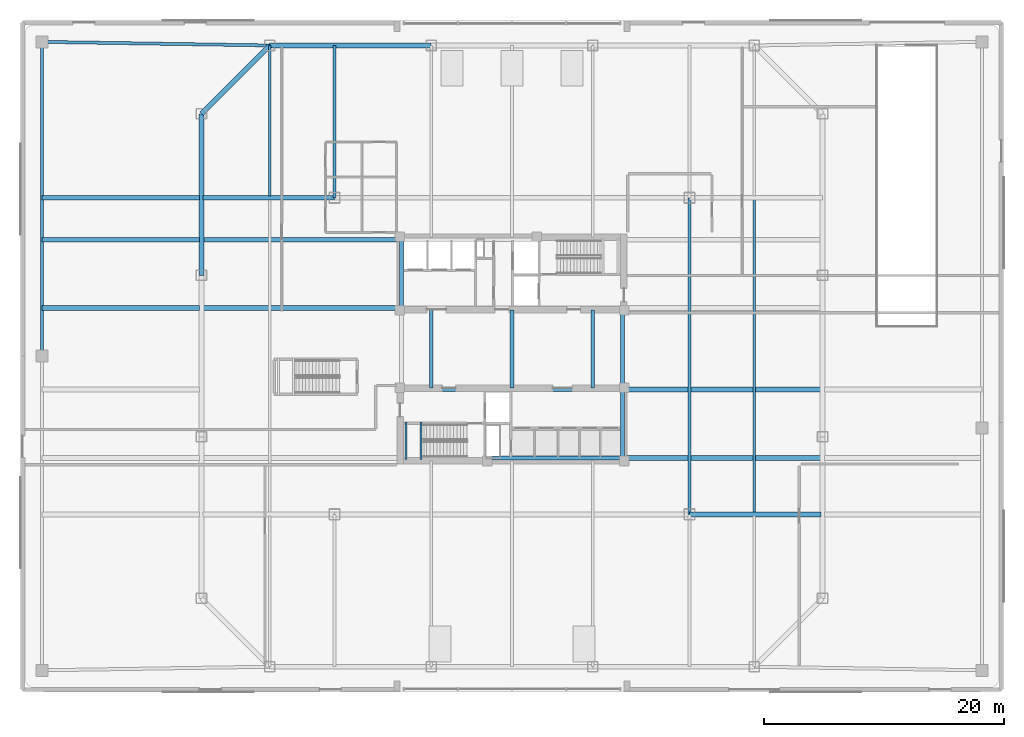
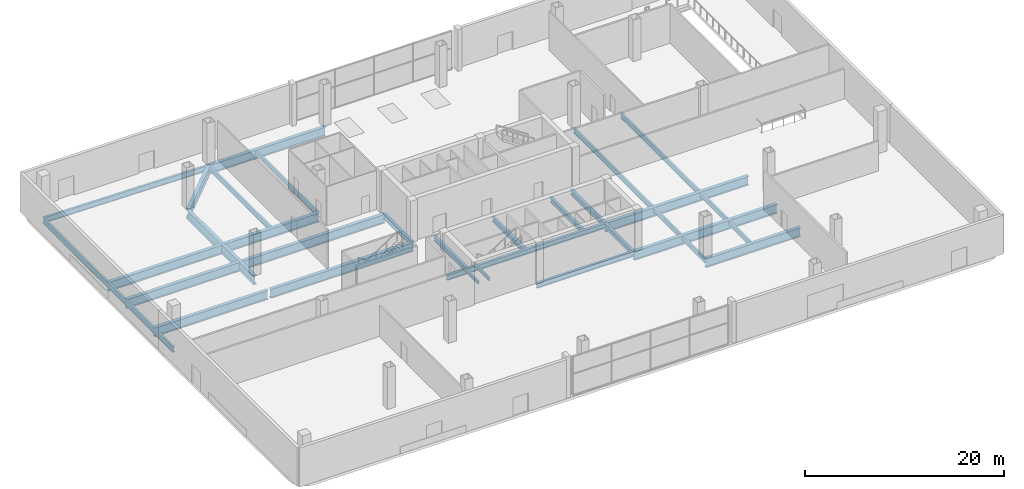
# One storey, part 7 of 21: 28 beams.
"""IFC4 building model written with IfcOpenShell, lengths in metres."""

import ifcopenshell
import ifcopenshell.guid

model = None  # the IFC model being written
_history = None  # IfcOwnerHistory: only IFC2X3 demands one
_inside = {}  # id of a spatial element -> (the spatial element, [elements in it])
_under = {}  # id of a project, library or spatial element -> (it, [spatial elements below it])
_declared = {}  # id of a project -> (the project, [libraries it declares])
_typed = {}  # id of a type object -> (the type object, [elements of that type])
_made_of = {}  # id of a material, layer set ... -> (it, [elements and type objects made of it])


def new_model(schema):
    """Start an empty IFC model of exactly this schema.

    Asked for "IFC4X3", IfcOpenShell would pick the latest addendum, in which some entities
    have other attributes; the version numbers below select the first issue.
    IFC2X3 requires an IfcOwnerHistory on every rooted entity: one is made here for all.
    """
    global model, _history
    if schema == "IFC4X3":
        model = ifcopenshell.file(schema_version=(4, 3, 0, 0))
    else:
        model = ifcopenshell.file(schema=schema)
    _inside.clear()
    _under.clear()
    _declared.clear()
    _typed.clear()
    _made_of.clear()
    _history = None
    if model.schema == "IFC2X3":
        org = make("IfcOrganization", Name="unknown")
        user = make(
            "IfcPersonAndOrganization",
            ThePerson=make("IfcPerson", FamilyName="unknown"),
            TheOrganization=org,
        )
        app = make(
            "IfcApplication",
            ApplicationDeveloper=org,
            Version="unknown",
            ApplicationFullName="unknown",
            ApplicationIdentifier="unknown",
        )
        _history = make(
            "IfcOwnerHistory",
            OwningUser=user,
            OwningApplication=app,
            ChangeAction="ADDED",
            CreationDate=0,
        )
    return model


def make(cls, **values):
    """One entity of the class cls with the attributes given. An attribute that is None is left unset."""
    return model.create_entity(
        cls, **{name: value for name, value in values.items() if value is not None}
    )


def rooted(cls, **values):
    """An entity with a GlobalId (a new one), such as an element, a storey or a relation."""
    return make(cls, GlobalId=ifcopenshell.guid.new(), OwnerHistory=_history, **values)


def si_unit(unit_type, name, prefix=None):
    """IfcSIUnit, for example si_unit("LENGTHUNIT", "METRE", prefix="MILLI")."""
    return make("IfcSIUnit", UnitType=unit_type, Prefix=prefix, Name=name)


def assignment(units):
    """IfcUnitAssignment: the units of a project."""
    return None if units is None else make("IfcUnitAssignment", Units=units)


def point(xyz):
    """IfcCartesianPoint."""
    return None if xyz is None else make("IfcCartesianPoint", Coordinates=xyz)


def direction(xyz):
    """IfcDirection."""
    return None if xyz is None else make("IfcDirection", DirectionRatios=xyz)


def frame(location, z_axis=None, x_axis=None):
    """IfcAxis2Placement3D, a coordinate frame: its origin and axes. An axis left out is left unset."""
    return make(
        "IfcAxis2Placement3D",
        Location=point(location),
        Axis=direction(z_axis),
        RefDirection=direction(x_axis),
    )


def frame_2d(location, x_axis=None):
    """IfcAxis2Placement2D, a coordinate frame in the plane: its origin and x axis."""
    return make(
        "IfcAxis2Placement2D", Location=point(location), RefDirection=direction(x_axis)
    )


def origin():
    """The frame at (0, 0, 0) with its axes left unset."""
    return frame((0.0, 0.0, 0.0))


def origin_2d():
    """The frame at (0, 0) in the plane with its x axis left unset."""
    return frame_2d((0.0, 0.0))


def place(relative_to, where):
    """IfcLocalPlacement: puts the frame where relative to a parent placement (None: the world)."""
    return make(
        "IfcLocalPlacement", PlacementRelTo=relative_to, RelativePlacement=where
    )


def context(
    kind, dimensions, precision=None, world=None, true_north=None, identifier=None
):
    """IfcGeometricRepresentationContext, for example the 3D "Model" context."""
    return make(
        "IfcGeometricRepresentationContext",
        ContextIdentifier=identifier,
        ContextType=kind,
        CoordinateSpaceDimension=dimensions,
        Precision=precision,
        WorldCoordinateSystem=world,
        TrueNorth=true_north,
    )


def subcontext(parent, identifier, kind, view, scale=None):
    """IfcGeometricRepresentationSubContext, for example "Body" below "Model"."""
    return make(
        "IfcGeometricRepresentationSubContext",
        ContextIdentifier=identifier,
        ContextType=kind,
        ParentContext=parent,
        TargetScale=scale,
        TargetView=view,
    )


def project(units=None, contexts=None):
    """IfcProject with its units and contexts."""
    return rooted(
        "IfcProject",
        Name="project",
        RepresentationContexts=contexts,
        UnitsInContext=assignment(units),
    )


def spatial(cls, under=None, at=None, **own):
    """A site, building, storey or space (cls), placed at a placement, below another one or the project."""
    s = rooted(cls, ObjectPlacement=at, **own)
    if under is not None:
        _under.setdefault(under.id(), (under, []))[1].append(s)
    return s


def profile(cls, at=None, kind="AREA", **sizes):
    """A parametric profile (cls). Its sizes go by their IFC names, for example OverallWidth=200.0."""
    return make(cls, ProfileType=kind, Position=at, **sizes)


def i_section(**sizes):
    """IfcIShapeProfileDef."""
    return profile("IfcIShapeProfileDef", **sizes)


def extrude(swept, where, along, depth):
    """IfcExtrudedAreaSolid: the profile swept, set in the frame where, extruded along a direction by depth."""
    return make(
        "IfcExtrudedAreaSolid",
        SweptArea=swept,
        Position=where,
        ExtrudedDirection=direction(along),
        Depth=depth,
    )


def shape(context_of_items, identifier, shape_type, items):
    """IfcShapeRepresentation: the items that make up one representation, for example the "Body"."""
    return make(
        "IfcShapeRepresentation",
        ContextOfItems=context_of_items,
        RepresentationIdentifier=identifier,
        RepresentationType=shape_type,
        Items=items,
    )


def material(Name=None, Category=None):
    """IfcMaterial."""
    return make("IfcMaterial", Name=Name, Category=Category)


def material_profile(
    of_material, cross_section, Name=None, Category=None, Priority=None
):
    """IfcMaterialProfile: a cross section and its material."""
    return make(
        "IfcMaterialProfile",
        Name=Name,
        Material=of_material,
        Profile=cross_section,
        Priority=Priority,
        Category=Category,
    )


def profile_set(profiles, Name=None, composite=None):
    """IfcMaterialProfileSet."""
    return make(
        "IfcMaterialProfileSet",
        Name=Name,
        MaterialProfiles=profiles,
        CompositeProfile=composite,
    )


def made_of(thing, what):
    """Note that an element or type object is made of a material, layer set ...; save() writes the relation."""
    if what is not None:
        _made_of.setdefault(what.id(), (what, []))[1].append(thing)
    return thing


def type_object(cls, material=None, **own):
    """A type object (cls), such as IfcWallType, which elements share."""
    return made_of(rooted(cls, **own), material)


def element(
    cls,
    number,
    at=None,
    inside=None,
    cuts=None,
    type_object=None,
    material=None,
    context=None,
    identifier="Body",
    shape_type=None,
    held_by="IfcProductDefinitionShape",
    body=None,
    shapes=None,
    **own,
):
    """One element of the class cls, such as IfcWall. Its Tag is "e" and its number.

    at: its placement. inside: the storey or other place that contains it. cuts: it is an
    opening in that element (IfcRelVoidsElement). A single representation is given by context,
    identifier, shape_type and body (its items); several are given by shapes. held_by: the class
    of the entity that holds the representations. save() writes the other relations.
    """
    e = rooted(cls, Tag="e%d" % number, ObjectPlacement=at, **own)
    if body is not None:
        shapes = [shape(context, identifier, shape_type, body)]
    if shapes is not None:
        e.Representation = make(held_by, Representations=shapes)
    if inside is not None:
        _inside.setdefault(inside.id(), (inside, []))[1].append(e)
    if cuts is not None:
        rooted(
            "IfcRelVoidsElement", RelatingBuildingElement=cuts, RelatedOpeningElement=e
        )
    if type_object is not None:
        _typed.setdefault(type_object.id(), (type_object, []))[1].append(e)
    return made_of(e, material)


def aggregate(whole, parts):
    """IfcRelAggregates: a whole, such as a stair, and the parts it consists of."""
    return rooted("IfcRelAggregates", RelatingObject=whole, RelatedObjects=parts)


def save(model, path):
    """Write the relations noted so far, then the file.

    IfcRelAggregates (storeys below a building ...), IfcRelContainedInSpatialStructure (elements
    in a storey), IfcRelDefinesByType, IfcRelAssociatesMaterial and IfcRelDeclares: one each for
    every whole, place, type object, material and project.
    """
    for whole, parts in _under.values():
        aggregate(whole, parts)
    for where, things in _inside.values():
        rooted(
            "IfcRelContainedInSpatialStructure",
            RelatedElements=things,
            RelatingStructure=where,
        )
    for kind, things in _typed.values():
        rooted("IfcRelDefinesByType", RelatedObjects=things, RelatingType=kind)
    for what, things in _made_of.values():
        rooted("IfcRelAssociatesMaterial", RelatedObjects=things, RelatingMaterial=what)
    for by, libraries in _declared.values():
        rooted("IfcRelDeclares", RelatingContext=by, RelatedDefinitions=libraries)
    model.write(path)


model = new_model("IFC4")

# Units and contexts
model_context = context("Model", 3, precision=1e-05, world=origin(), true_north=direction((0.0, 1.0)))
body_context = subcontext(model_context, "Body", "Model", "MODEL_VIEW")
ifc_project = project(units=[si_unit("LENGTHUNIT", "METRE"), si_unit("AREAUNIT", "SQUARE_METRE"), si_unit("VOLUMEUNIT", "CUBIC_METRE"), si_unit("PLANEANGLEUNIT", "RADIAN"), si_unit("MASSUNIT", "GRAM", prefix="KILO")], contexts=[model_context])

# Site, building, storey
site_placement = place(None, origin())
site = spatial("IfcSite", under=ifc_project, at=site_placement, CompositionType="ELEMENT")
building_placement = place(site_placement, origin())
building = spatial("IfcBuilding", under=site, at=building_placement, Name="Qhalaya Broadcast Tower", CompositionType="ELEMENT")
storey_placement = place(building_placement, origin())
storey = spatial("IfcBuildingStorey", under=building, at=storey_placement, Name="L00", CompositionType="ELEMENT", Elevation=0.0)

# Beams
ifc_material = material(Name="Structural Steel ASTM A992 Grade 50", Category="steel")
ifc_material_profile_1 = material_profile(ifc_material, i_section(OverallWidth=0.22802734375, OverallDepth=0.60693359375, WebThickness=0.01123046875, FlangeThickness=0.017333984375, at=origin_2d()), Name="W24X76")
ifc_profile_set_1 = profile_set([ifc_material_profile_1], Name="Structural Steel ASTM A992 Grade 50")
beam_type_1 = type_object("IfcBeamType", Name="Composite Floor Joist J01", PredefinedType="JOIST", material=ifc_profile_set_1)
beam_1_placement = place(storey_placement, frame((-20.199951171875, 13.340087890625, -0.62353515625), z_axis=(0.0, 1.0, 0.0), x_axis=(-1.0, 0.0, 0.0)))
element("IfcBeam", 1, at=beam_1_placement, inside=storey, type_object=beam_type_1, Name="L00 J01 L00-JS-N-20.2", PredefinedType="JOIST", context=body_context, shape_type="SweptSolid", body=[
    extrude(i_section(OverallWidth=0.22802734375, OverallDepth=0.60693359375, WebThickness=0.01123046875, FlangeThickness=0.017333984375, at=origin_2d()), origin(), (0.0, 0.0, 1.0), 12.559814453125),
])
beam_2_placement = place(storey_placement, frame((-14.800048828125, 13.199951171875, -0.62353515625), z_axis=(0.0, 1.0, 0.0), x_axis=(-1.0, 0.0, 0.0)))
element("IfcBeam", 2, at=beam_2_placement, inside=storey, type_object=beam_type_1, Name="L00 J01 L00-JS-N-14.8", PredefinedType="JOIST", context=body_context, shape_type="SweptSolid", body=[
    extrude(i_section(OverallWidth=0.22802734375, OverallDepth=0.60693359375, WebThickness=0.01123046875, FlangeThickness=0.017333984375, at=origin_2d()), origin(), (0.0, 0.0, 1.0), 12.699951171875),
])
beam_3_placement = place(storey_placement, frame((14.800048828125, -13.199951171875, -0.62353515625), z_axis=(0.0, 1.0, 0.0), x_axis=(-1.0, 0.0, 0.0)))
element("IfcBeam", 3, at=beam_3_placement, inside=storey, type_object=beam_type_1, Name="L00 J01 L00-JS-M+14.8", PredefinedType="JOIST", context=body_context, shape_type="SweptSolid", body=[
    extrude(i_section(OverallWidth=0.22802734375, OverallDepth=0.60693359375, WebThickness=0.01123046875, FlangeThickness=0.017333984375, at=origin_2d()), origin(), (0.0, 0.0, 1.0), 26.39990234375),
])
beam_4_placement = place(storey_placement, frame((20.199951171875, -13.06005859375, -0.62353515625), z_axis=(0.0, 1.0, 0.0), x_axis=(-1.0, 0.0, 0.0)))
element("IfcBeam", 4, at=beam_4_placement, inside=storey, type_object=beam_type_1, Name="L00 J01 L00-JS-M+20.2", PredefinedType="JOIST", context=body_context, shape_type="SweptSolid", body=[
    extrude(i_section(OverallWidth=0.22802734375, OverallDepth=0.60693359375, WebThickness=0.01123046875, FlangeThickness=0.017333984375, at=origin_2d()), origin(), (0.0, 0.0, 1.0), 26.1201171875),
])
ifc_material_profile_2 = material_profile(ifc_material, i_section(OverallWidth=0.323974609375, OverallDepth=0.612060546875, WebThickness=0.0126953125, FlangeThickness=0.01904296875, at=origin_2d()), Name="W24X104")
ifc_profile_set_2 = profile_set([ifc_material_profile_2], Name="Structural Steel ASTM A992 Grade 50")
beam_type_2 = type_object("IfcBeamType", Name="Core Frame Tie Beam B04", PredefinedType="BEAM", material=ifc_profile_set_2)
beam_5_placement = place(storey_placement, frame((-9.199951171875, 4.0, -0.6259765625), z_axis=(0.0, 1.0, 0.0), x_axis=(-1.0, 0.0, 0.0)))
element("IfcBeam", 5, at=beam_5_placement, inside=storey, type_object=beam_type_2, Name="L00 B04 L00-CCN2", PredefinedType="BEAM", context=body_context, shape_type="SweptSolid", body=[
    extrude(i_section(OverallWidth=0.323974609375, OverallDepth=0.612060546875, WebThickness=0.0126953125, FlangeThickness=0.01904296875, at=origin_2d()), origin(), (0.0, 0.0, 1.0), 5.699951171875),
])
beam_6_placement = place(storey_placement, frame((-9.199951171875, -2.800048828125, -0.6259765625), z_axis=(1.0, 0.0, 0.0), x_axis=(0.0, 1.0, 0.0)))
element("IfcBeam", 6, at=beam_6_placement, inside=storey, type_object=beam_type_2, Name="L00 B04 L00-CCS1", PredefinedType="BEAM", context=body_context, shape_type="SweptSolid", body=[
    extrude(i_section(OverallWidth=0.323974609375, OverallDepth=0.612060546875, WebThickness=0.0126953125, FlangeThickness=0.01904296875, at=origin_2d()), origin(), (0.0, 0.0, 1.0), 18.39990234375),
])
beam_7_placement = place(storey_placement, frame((9.199951171875, -8.5, -0.6259765625), z_axis=(0.0, 1.0, 0.0), x_axis=(-1.0, 0.0, 0.0)))
element("IfcBeam", 7, at=beam_7_placement, inside=storey, type_object=beam_type_2, Name="L00 B04 L00-CCS2", PredefinedType="BEAM", context=body_context, shape_type="SweptSolid", body=[
    extrude(i_section(OverallWidth=0.323974609375, OverallDepth=0.612060546875, WebThickness=0.0126953125, FlangeThickness=0.01904296875, at=origin_2d()), origin(), (0.0, 0.0, 1.0), 5.699951171875),
])
beam_8_placement = place(storey_placement, frame((-2.050048828125, -8.5, -0.6259765625), z_axis=(1.0, 0.0, 0.0), x_axis=(0.0, 1.0, 0.0)))
element("IfcBeam", 8, at=beam_8_placement, inside=storey, type_object=beam_type_2, Name="L00 B04 L00-CCS3", PredefinedType="BEAM", context=body_context, shape_type="SweptSolid", body=[
    extrude(i_section(OverallWidth=0.323974609375, OverallDepth=0.612060546875, WebThickness=0.0126953125, FlangeThickness=0.01904296875, at=origin_2d()), origin(), (0.0, 0.0, 1.0), 11.25),
])
beam_9_placement = place(storey_placement, frame((9.199951171875, -2.800048828125, -0.6259765625), z_axis=(0.0, 1.0, 0.0), x_axis=(-1.0, 0.0, 0.0)))
element("IfcBeam", 9, at=beam_9_placement, inside=storey, type_object=beam_type_2, Name="L00 B04 L00-CCE", PredefinedType="BEAM", context=body_context, shape_type="SweptSolid", body=[
    extrude(i_section(OverallWidth=0.323974609375, OverallDepth=0.612060546875, WebThickness=0.0126953125, FlangeThickness=0.01904296875, at=origin_2d()), origin(), (0.0, 0.0, 1.0), 6.800048828125),
])
for number, where, z_axis, x_axis, name in (
    (10, (-6.7333984375, -2.64990234375, -0.6259765625), (0.0, 1.0, 0.0), (-1.0, 0.0, 0.0), "L00 B04 L00-JS-CM-6.7"),
    (11, (0.0, -2.64990234375, -0.6259765625), (0.0, 1.0, 0.0), (-1.0, 0.0, 0.0), "L00 B04 L00-JS-CM+0.0"),
    (12, (6.7333984375, -2.64990234375, -0.6259765625), (0.0, 1.0, 0.0), (-1.0, 0.0, 0.0), "L00 B04 L00-JS-CM+6.7"),
):
    element("IfcBeam", number, at=place(storey_placement, frame(where, z_axis=z_axis, x_axis=x_axis)), inside=storey, type_object=beam_type_2, Name=name, PredefinedType="BEAM", context=body_context, shape_type="SweptSolid", body=[
        extrude(i_section(OverallWidth=0.323974609375, OverallDepth=0.612060546875, WebThickness=0.0126953125, FlangeThickness=0.01904296875, at=origin_2d()), origin(), (0.0, 0.0, 1.0), 6.5),
    ])
ifc_material_profile_3 = material_profile(ifc_material, i_section(OverallWidth=0.25390625, OverallDepth=0.68310546875, WebThickness=0.012451171875, FlangeThickness=0.01904296875, at=origin_2d()), Name="W27X94")
ifc_profile_set_3 = profile_set([ifc_material_profile_3], Name="Structural Steel ASTM A992 Grade 50")
beam_type_3 = type_object("IfcBeamType", Name="Perimeter Ring Spandrel Beam SP1", PredefinedType="SPANDREL", material=ifc_profile_set_3)
beam_10_placement = place(storey_placement, frame((-39.199951171875, 26.199951171875, -0.66162109375), z_axis=(0.999875328998, -0.015790074776, 0.0), x_axis=(0.015790074776, 0.999875328998, 0.0)))
element("IfcBeam", 13, at=beam_10_placement, inside=storey, type_object=beam_type_3, Name="L00 SP1 L00-SP-N1", PredefinedType="SPANDREL", context=body_context, shape_type="SweptSolid", body=[
    extrude(i_section(OverallWidth=0.25390625, OverallDepth=0.68310546875, WebThickness=0.012451171875, FlangeThickness=0.01904296875, at=origin_2d()), origin(), (0.0, 0.0, 1.0), 19.00244140625),
])
beam_11_placement = place(storey_placement, frame((-39.199951171875, 0.0, -0.66162109375), z_axis=(0.0, 1.0, 0.0), x_axis=(-1.0, 0.0, 0.0)))
element("IfcBeam", 14, at=beam_11_placement, inside=storey, type_object=beam_type_3, Name="L00 SP1 L00-SP-W2", PredefinedType="SPANDREL", context=body_context, shape_type="SweptSolid", body=[
    extrude(i_section(OverallWidth=0.25390625, OverallDepth=0.68310546875, WebThickness=0.012451171875, FlangeThickness=0.01904296875, at=origin_2d()), origin(), (0.0, 0.0, 1.0), 26.199951171875),
])
ifc_material_profile_4 = material_profile(ifc_material, i_section(OverallWidth=0.404052734375, OverallDepth=1.117919921875, WebThickness=0.026123046875, FlangeThickness=0.044921875, at=origin_2d()), Name="W44X335")
ifc_profile_set_4 = profile_set([ifc_material_profile_4], Name="Structural Steel ASTM A992 Grade 50")
beam_type_4 = type_object("IfcBeamType", Name="Podium Long-Span Primary Girder PG1", PredefinedType="USERDEFINED", material=ifc_profile_set_4)
beam_12_placement = place(storey_placement, frame((-6.7333984375, 25.89990234375, -0.87890625), z_axis=(-1.0, 0.0, 0.0), x_axis=(0.0, -1.0, 0.0)))
element("IfcBeam", 15, at=beam_12_placement, inside=storey, type_object=beam_type_4, Name="L00 PG1 L00-PG-R11", ObjectType="GIRDER", PredefinedType="USERDEFINED", context=body_context, shape_type="SweptSolid", body=[
    extrude(i_section(OverallWidth=0.404052734375, OverallDepth=1.117919921875, WebThickness=0.026123046875, FlangeThickness=0.044921875, at=origin_2d()), origin(), (0.0, 0.0, 1.0), 13.466552734375),
])
beam_13_placement = place(storey_placement, frame((-20.199951171875, 25.89990234375, -0.87890625), z_axis=(-0.707106781187, -0.707106781187, 0.0), x_axis=(0.707106781187, -0.707106781187, 0.0)))
element("IfcBeam", 16, at=beam_13_placement, inside=storey, type_object=beam_type_4, Name="L00 PG1 L00-PG-R12", ObjectType="GIRDER", PredefinedType="USERDEFINED", context=body_context, shape_type="SweptSolid", body=[
    extrude(i_section(OverallWidth=0.404052734375, OverallDepth=1.117919921875, WebThickness=0.026123046875, FlangeThickness=0.044921875, at=origin_2d()), origin(), (0.0, 0.0, 1.0), 8.06103515625),
])
beam_14_placement = place(storey_placement, frame((-25.89990234375, 20.199951171875, -0.87890625), z_axis=(0.0, -1.0, 0.0), x_axis=(1.0, 0.0, 0.0)))
element("IfcBeam", 17, at=beam_14_placement, inside=storey, type_object=beam_type_4, Name="L00 PG1 L00-PG-R13", ObjectType="GIRDER", PredefinedType="USERDEFINED", context=body_context, shape_type="SweptSolid", body=[
    extrude(i_section(OverallWidth=0.404052734375, OverallDepth=1.117919921875, WebThickness=0.026123046875, FlangeThickness=0.044921875, at=origin_2d()), origin(), (0.0, 0.0, 1.0), 13.466552734375),
])
beam_15_placement = place(storey_placement, frame((14.800048828125, -13.199951171875, -0.87890625), z_axis=(1.0, 0.0, 0.0), x_axis=(0.0, 1.0, 0.0)))
element("IfcBeam", 18, at=beam_15_placement, inside=storey, type_object=beam_type_4, Name="L00 PG1 L00-PG-GS4", ObjectType="GIRDER", PredefinedType="USERDEFINED", context=body_context, shape_type="SweptSolid", body=[
    extrude(i_section(OverallWidth=0.404052734375, OverallDepth=1.117919921875, WebThickness=0.026123046875, FlangeThickness=0.044921875, at=origin_2d()), origin(), (0.0, 0.0, 1.0), 10.9599609375),
])
beam_16_placement = place(storey_placement, frame((-39.199951171875, 13.199951171875, -0.87890625), z_axis=(1.0, 0.0, 0.0), x_axis=(0.0, 1.0, 0.0)))
element("IfcBeam", 19, at=beam_16_placement, inside=storey, type_object=beam_type_4, Name="L00 PG1 L00-PG-GN1", ObjectType="GIRDER", PredefinedType="USERDEFINED", context=body_context, shape_type="SweptSolid", body=[
    extrude(i_section(OverallWidth=0.404052734375, OverallDepth=1.117919921875, WebThickness=0.026123046875, FlangeThickness=0.044921875, at=origin_2d()), origin(), (0.0, 0.0, 1.0), 13.159912109375),
])
beam_17_placement = place(storey_placement, frame((-25.760009765625, 13.199951171875, -0.87890625), z_axis=(1.0, 0.0, 0.0), x_axis=(0.0, 1.0, 0.0)))
element("IfcBeam", 20, at=beam_17_placement, inside=storey, type_object=beam_type_4, Name="L00 PG1 L00-PG-GN2", ObjectType="GIRDER", PredefinedType="USERDEFINED", context=body_context, shape_type="SweptSolid", body=[
    extrude(i_section(OverallWidth=0.404052734375, OverallDepth=1.117919921875, WebThickness=0.026123046875, FlangeThickness=0.044921875, at=origin_2d()), origin(), (0.0, 0.0, 1.0), 10.9599609375),
])
for number, where, z_axis, x_axis, name in (
    (21, (9.199951171875, -8.5, -0.87890625), (1.0, 0.0, 0.0), (0.0, 1.0, 0.0), "L00 PG1 L00-PG-E1A"),
    (22, (9.199951171875, -2.800048828125, -0.87890625), (1.0, 0.0, 0.0), (0.0, 1.0, 0.0), "L00 PG1 L00-PG-E2A"),
):
    element("IfcBeam", number, at=place(storey_placement, frame(where, z_axis=z_axis, x_axis=x_axis)), inside=storey, type_object=beam_type_4, Name=name, ObjectType="GIRDER", PredefinedType="USERDEFINED", context=body_context, shape_type="SweptSolid", body=[
        extrude(i_section(OverallWidth=0.404052734375, OverallDepth=1.117919921875, WebThickness=0.026123046875, FlangeThickness=0.044921875, at=origin_2d()), origin(), (0.0, 0.0, 1.0), 16.56005859375),
    ])
beam_18_placement = place(storey_placement, frame((-39.199951171875, 4.0, -0.87890625), z_axis=(1.0, 0.0, 0.0), x_axis=(0.0, 1.0, 0.0)))
element("IfcBeam", 23, at=beam_18_placement, inside=storey, type_object=beam_type_4, Name="L00 PG1 L00-PG-W3A", ObjectType="GIRDER", PredefinedType="USERDEFINED", context=body_context, shape_type="SweptSolid", body=[
    extrude(i_section(OverallWidth=0.404052734375, OverallDepth=1.117919921875, WebThickness=0.026123046875, FlangeThickness=0.044921875, at=origin_2d()), origin(), (0.0, 0.0, 1.0), 13.159912109375),
])
beam_19_placement = place(storey_placement, frame((-25.760009765625, 4.0, -0.87890625), z_axis=(1.0, 0.0, 0.0), x_axis=(0.0, 1.0, 0.0)))
element("IfcBeam", 24, at=beam_19_placement, inside=storey, type_object=beam_type_4, Name="L00 PG1 L00-PG-W3B", ObjectType="GIRDER", PredefinedType="USERDEFINED", context=body_context, shape_type="SweptSolid", body=[
    extrude(i_section(OverallWidth=0.404052734375, OverallDepth=1.117919921875, WebThickness=0.026123046875, FlangeThickness=0.044921875, at=origin_2d()), origin(), (0.0, 0.0, 1.0), 16.56005859375),
])
beam_20_placement = place(storey_placement, frame((-39.199951171875, 9.699951171875, -0.87890625), z_axis=(1.0, 0.0, 0.0), x_axis=(0.0, 1.0, 0.0)))
element("IfcBeam", 25, at=beam_20_placement, inside=storey, type_object=beam_type_4, Name="L00 PG1 L00-PG-W4A", ObjectType="GIRDER", PredefinedType="USERDEFINED", context=body_context, shape_type="SweptSolid", body=[
    extrude(i_section(OverallWidth=0.404052734375, OverallDepth=1.117919921875, WebThickness=0.026123046875, FlangeThickness=0.044921875, at=origin_2d()), origin(), (0.0, 0.0, 1.0), 13.159912109375),
])
beam_21_placement = place(storey_placement, frame((-25.760009765625, 9.699951171875, -0.87890625), z_axis=(1.0, 0.0, 0.0), x_axis=(0.0, 1.0, 0.0)))
element("IfcBeam", 26, at=beam_21_placement, inside=storey, type_object=beam_type_4, Name="L00 PG1 L00-PG-W4B", ObjectType="GIRDER", PredefinedType="USERDEFINED", context=body_context, shape_type="SweptSolid", body=[
    extrude(i_section(OverallWidth=0.404052734375, OverallDepth=1.117919921875, WebThickness=0.026123046875, FlangeThickness=0.044921875, at=origin_2d()), origin(), (0.0, 0.0, 1.0), 16.56005859375),
])
ifc_material_profile_5 = material_profile(ifc_material, i_section(OverallWidth=0.177978515625, OverallDepth=0.406005859375, WebThickness=0.0078125, FlangeThickness=0.0126953125, at=origin_2d()), Name="W16X40")
ifc_profile_set_5 = profile_set([ifc_material_profile_5], Name="Structural Steel ASTM A992 Grade 50")
beam_type_5 = type_object("IfcBeamType", Name="Upper Perimeter Spandrel Beam SP2", PredefinedType="SPANDREL", material=ifc_profile_set_5)
for number, where, z_axis, x_axis, name in (
    (27, (-8.830078125, -8.6201171875, 2.14697265625), (0.0, 1.0, 0.0), (-1.0, 0.0, 0.0), "L00 ST-2 Half-Landing Bearer Beam 1"),
    (28, (-7.574951171875, -8.6201171875, 2.14697265625), (0.0, 1.0, 0.0), (-1.0, 0.0, 0.0), "L00 ST-2 Half-Landing Bearer Beam 2"),
):
    element("IfcBeam", number, at=place(storey_placement, frame(where, z_axis=z_axis, x_axis=x_axis)), inside=storey, type_object=beam_type_5, Name=name, PredefinedType="SPANDREL", context=body_context, shape_type="SweptSolid", body=[
        extrude(i_section(OverallWidth=0.177978515625, OverallDepth=0.406005859375, WebThickness=0.0078125, FlangeThickness=0.0126953125, at=origin_2d()), origin(), (0.0, 0.0, 1.0), 3.1201171875),
    ])

save(model, "model.ifc")
